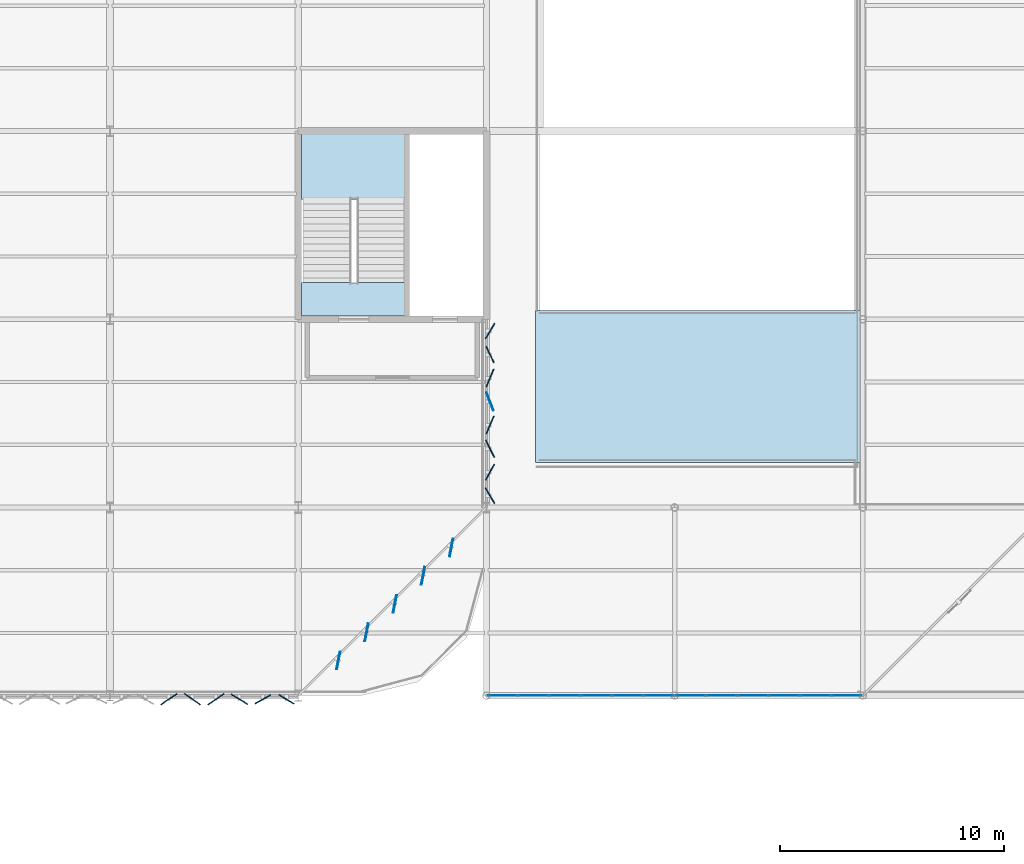
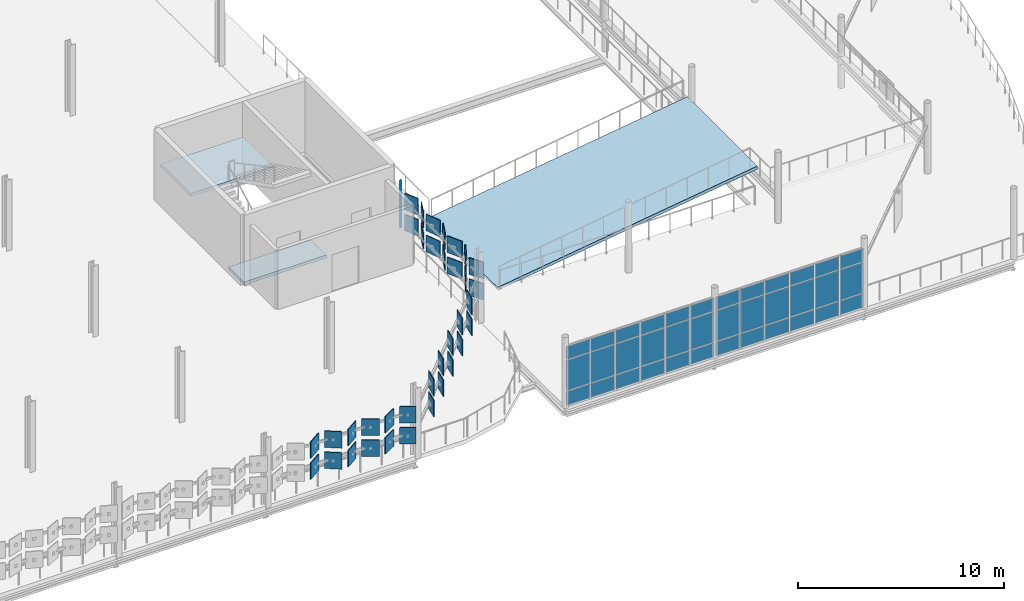
# One storey, part 43 of 69: 74 plates, 3 slabs, 3 elements without a shape of their own.
"""IFC4 building model written with IfcOpenShell, lengths in metres."""

from ifc_helpers import new_model, si_unit, direction, frame, origin, origin_2d, place, context, subcontext, project, spatial, polyline, rectangle, outline, extrude, material, layer, layer_set, type_object, element, aggregate, save


model = new_model("IFC4")

# Units and contexts
model_context = context("Model", 3, precision=1e-05, world=origin(), true_north=direction((0.0, 1.0)))
body_context = subcontext(model_context, "Body", "Model", "MODEL_VIEW")
ifc_project = project(units=[si_unit("LENGTHUNIT", "METRE"), si_unit("AREAUNIT", "SQUARE_METRE"), si_unit("VOLUMEUNIT", "CUBIC_METRE"), si_unit("PLANEANGLEUNIT", "RADIAN"), si_unit("MASSUNIT", "GRAM", prefix="KILO")], contexts=[model_context])

# Site, building, storey
site_placement = place(None, origin())
site = spatial("IfcSite", under=ifc_project, at=site_placement, CompositionType="ELEMENT")
building_placement = place(site_placement, origin())
building = spatial("IfcBuilding", under=site, at=building_placement, Name="Qalvenar Corner Mobility Hub", CompositionType="ELEMENT")
storey_placement = place(building_placement, frame((0.0, 0.0, 13.199951171875)))
storey = spatial("IfcBuildingStorey", under=building, at=storey_placement, Name="L03", CompositionType="ELEMENT", Elevation=13.199951171875)

# Curtain wall, plates
ifc_material_1 = material(Name="Anodised Aluminium and Low-E Glazing", Category="aluminium")
ifc_layer_1 = layer(ifc_material_1, 0.1201171875)
ifc_layer_set_1 = layer_set([ifc_layer_1], Name="Anodised Aluminium and Low-E Glazing")
curtain_wall_type = type_object("IfcCurtainWallType", Name="CW-STR-42X40", PredefinedType="NOTDEFINED", material=ifc_layer_set_1)
curtain_wall_1_placement = place(storey_placement, origin())
curtain_wall_1 = element("IfcCurtainWall", 1, at=curtain_wall_1_placement, inside=storey, type_object=curtain_wall_type, Name="Glazed Curtain Wall CW-V2-L03-S0", PredefinedType="NOTDEFINED")
ifc_material_2 = material(Name="Solar-Control Low-E Double Glazing", Category="glass")
ifc_layer_2 = layer(ifc_material_2, 0.028076171875)
ifc_layer_set_2 = layer_set([ifc_layer_2], Name="Solar-Control Low-E Double Glazing")
plate_type_1 = type_object("IfcPlateType", Name="PLT-CWP-GLZ1", PredefinedType="CURTAIN_PANEL", material=ifc_layer_set_2)
plate_1_placement = place(storey_placement, frame((143.514892578125, 67.199951171875, 0.05517578125), z_axis=(0.0, 0.0, 1.0), x_axis=(1.0, 0.0, 0.0)))
plate_1 = element("IfcPlate", 2, at=plate_1_placement, type_object=plate_type_1, Name="CW-10 panel 1.1", PredefinedType="CURTAIN_PANEL", context=body_context, shape_type="SweptSolid", body=[
    extrude(rectangle(XDim=1.31005859375, YDim=0.028076171875, at=origin_2d()), origin(), (0.0, 0.0, 1.0), 0.8173828125),
])
plate_2_placement = place(storey_placement, frame((143.514892578125, 67.199951171875, 0.927490234375), z_axis=(0.0, 0.0, 1.0), x_axis=(1.0, 0.0, 0.0)))
plate_2 = element("IfcPlate", 3, at=plate_2_placement, type_object=plate_type_1, Name="CW-10 panel 1.2", PredefinedType="CURTAIN_PANEL", context=body_context, shape_type="SweptSolid", body=[
    extrude(rectangle(XDim=1.31005859375, YDim=0.028076171875, at=origin_2d()), origin(), (0.0, 0.0, 1.0), 1.794921875),
])
plate_3_placement = place(storey_placement, frame((143.514892578125, 67.199951171875, 2.777587890625), z_axis=(0.0, 0.0, 1.0), x_axis=(1.0, 0.0, 0.0)))
plate_3 = element("IfcPlate", 4, at=plate_3_placement, type_object=plate_type_1, Name="CW-10 panel 1.3", PredefinedType="CURTAIN_PANEL", context=body_context, shape_type="SweptSolid", body=[
    extrude(rectangle(XDim=1.31005859375, YDim=0.028076171875, at=origin_2d()), origin(), (0.0, 0.0, 1.0), 0.767578125),
])
plate_4_placement = place(storey_placement, frame((144.89990234375, 67.199951171875, 0.05517578125), z_axis=(0.0, 0.0, 1.0), x_axis=(1.0, 0.0, 0.0)))
plate_4 = element("IfcPlate", 5, at=plate_4_placement, type_object=plate_type_1, Name="CW-10 panel 2.1", PredefinedType="CURTAIN_PANEL", context=body_context, shape_type="SweptSolid", body=[
    extrude(rectangle(XDim=1.340087890625, YDim=0.028076171875, at=origin_2d()), origin(), (0.0, 0.0, 1.0), 0.8173828125),
])
plate_5_placement = place(storey_placement, frame((144.89990234375, 67.199951171875, 0.927490234375), z_axis=(0.0, 0.0, 1.0), x_axis=(1.0, 0.0, 0.0)))
plate_5 = element("IfcPlate", 6, at=plate_5_placement, type_object=plate_type_1, Name="CW-10 panel 2.2", PredefinedType="CURTAIN_PANEL", context=body_context, shape_type="SweptSolid", body=[
    extrude(rectangle(XDim=1.340087890625, YDim=0.028076171875, at=origin_2d()), origin(), (0.0, 0.0, 1.0), 1.794921875),
])
plate_6_placement = place(storey_placement, frame((144.89990234375, 67.199951171875, 2.777587890625), z_axis=(0.0, 0.0, 1.0), x_axis=(1.0, 0.0, 0.0)))
plate_6 = element("IfcPlate", 7, at=plate_6_placement, type_object=plate_type_1, Name="CW-10 panel 2.3", PredefinedType="CURTAIN_PANEL", context=body_context, shape_type="SweptSolid", body=[
    extrude(rectangle(XDim=1.340087890625, YDim=0.028076171875, at=origin_2d()), origin(), (0.0, 0.0, 1.0), 0.767578125),
])
plate_7_placement = place(storey_placement, frame((146.300048828125, 67.199951171875, 0.05517578125), z_axis=(0.0, 0.0, 1.0), x_axis=(1.0, 0.0, 0.0)))
plate_7 = element("IfcPlate", 8, at=plate_7_placement, type_object=plate_type_1, Name="CW-10 panel 3.1", PredefinedType="CURTAIN_PANEL", context=body_context, shape_type="SweptSolid", body=[
    extrude(rectangle(XDim=1.340087890625, YDim=0.028076171875, at=origin_2d()), origin(), (0.0, 0.0, 1.0), 0.8173828125),
])
plate_8_placement = place(storey_placement, frame((146.300048828125, 67.199951171875, 0.927490234375), z_axis=(0.0, 0.0, 1.0), x_axis=(1.0, 0.0, 0.0)))
plate_8 = element("IfcPlate", 9, at=plate_8_placement, type_object=plate_type_1, Name="CW-10 panel 3.2", PredefinedType="CURTAIN_PANEL", context=body_context, shape_type="SweptSolid", body=[
    extrude(rectangle(XDim=1.340087890625, YDim=0.028076171875, at=origin_2d()), origin(), (0.0, 0.0, 1.0), 1.794921875),
])
plate_9_placement = place(storey_placement, frame((146.300048828125, 67.199951171875, 2.777587890625), z_axis=(0.0, 0.0, 1.0), x_axis=(1.0, 0.0, 0.0)))
plate_9 = element("IfcPlate", 10, at=plate_9_placement, type_object=plate_type_1, Name="CW-10 panel 3.3", PredefinedType="CURTAIN_PANEL", context=body_context, shape_type="SweptSolid", body=[
    extrude(rectangle(XDim=1.340087890625, YDim=0.028076171875, at=origin_2d()), origin(), (0.0, 0.0, 1.0), 0.767578125),
])
plate_10_placement = place(storey_placement, frame((147.699951171875, 67.199951171875, 0.05517578125), z_axis=(0.0, 0.0, 1.0), x_axis=(1.0, 0.0, 0.0)))
plate_10 = element("IfcPlate", 11, at=plate_10_placement, type_object=plate_type_1, Name="CW-10 panel 4.1", PredefinedType="CURTAIN_PANEL", context=body_context, shape_type="SweptSolid", body=[
    extrude(rectangle(XDim=1.340087890625, YDim=0.028076171875, at=origin_2d()), origin(), (0.0, 0.0, 1.0), 0.8173828125),
])
plate_11_placement = place(storey_placement, frame((147.699951171875, 67.199951171875, 0.927490234375), z_axis=(0.0, 0.0, 1.0), x_axis=(1.0, 0.0, 0.0)))
plate_11 = element("IfcPlate", 12, at=plate_11_placement, type_object=plate_type_1, Name="CW-10 panel 4.2", PredefinedType="CURTAIN_PANEL", context=body_context, shape_type="SweptSolid", body=[
    extrude(rectangle(XDim=1.340087890625, YDim=0.028076171875, at=origin_2d()), origin(), (0.0, 0.0, 1.0), 1.794921875),
])
plate_12_placement = place(storey_placement, frame((147.699951171875, 67.199951171875, 2.777587890625), z_axis=(0.0, 0.0, 1.0), x_axis=(1.0, 0.0, 0.0)))
plate_12 = element("IfcPlate", 13, at=plate_12_placement, type_object=plate_type_1, Name="CW-10 panel 4.3", PredefinedType="CURTAIN_PANEL", context=body_context, shape_type="SweptSolid", body=[
    extrude(rectangle(XDim=1.340087890625, YDim=0.028076171875, at=origin_2d()), origin(), (0.0, 0.0, 1.0), 0.767578125),
])
plate_13_placement = place(storey_placement, frame((149.10009765625, 67.199951171875, 0.05517578125), z_axis=(0.0, 0.0, 1.0), x_axis=(1.0, 0.0, 0.0)))
plate_13 = element("IfcPlate", 14, at=plate_13_placement, type_object=plate_type_1, Name="CW-10 panel 5.1", PredefinedType="CURTAIN_PANEL", context=body_context, shape_type="SweptSolid", body=[
    extrude(rectangle(XDim=1.340087890625, YDim=0.028076171875, at=origin_2d()), origin(), (0.0, 0.0, 1.0), 0.8173828125),
])
plate_14_placement = place(storey_placement, frame((149.10009765625, 67.199951171875, 0.927490234375), z_axis=(0.0, 0.0, 1.0), x_axis=(1.0, 0.0, 0.0)))
plate_14 = element("IfcPlate", 15, at=plate_14_placement, type_object=plate_type_1, Name="CW-10 panel 5.2", PredefinedType="CURTAIN_PANEL", context=body_context, shape_type="SweptSolid", body=[
    extrude(rectangle(XDim=1.340087890625, YDim=0.028076171875, at=origin_2d()), origin(), (0.0, 0.0, 1.0), 1.794921875),
])
plate_15_placement = place(storey_placement, frame((149.10009765625, 67.199951171875, 2.777587890625), z_axis=(0.0, 0.0, 1.0), x_axis=(1.0, 0.0, 0.0)))
plate_15 = element("IfcPlate", 16, at=plate_15_placement, type_object=plate_type_1, Name="CW-10 panel 5.3", PredefinedType="CURTAIN_PANEL", context=body_context, shape_type="SweptSolid", body=[
    extrude(rectangle(XDim=1.340087890625, YDim=0.028076171875, at=origin_2d()), origin(), (0.0, 0.0, 1.0), 0.767578125),
])
plate_16_placement = place(storey_placement, frame((150.485107421875, 67.199951171875, 0.05517578125), z_axis=(0.0, 0.0, 1.0), x_axis=(1.0, 0.0, 0.0)))
plate_16 = element("IfcPlate", 17, at=plate_16_placement, type_object=plate_type_1, Name="CW-10 panel 6.1", PredefinedType="CURTAIN_PANEL", context=body_context, shape_type="SweptSolid", body=[
    extrude(rectangle(XDim=1.31005859375, YDim=0.028076171875, at=origin_2d()), origin(), (0.0, 0.0, 1.0), 0.8173828125),
])
plate_17_placement = place(storey_placement, frame((150.485107421875, 67.199951171875, 0.927490234375), z_axis=(0.0, 0.0, 1.0), x_axis=(1.0, 0.0, 0.0)))
plate_17 = element("IfcPlate", 18, at=plate_17_placement, type_object=plate_type_1, Name="CW-10 panel 6.2", PredefinedType="CURTAIN_PANEL", context=body_context, shape_type="SweptSolid", body=[
    extrude(rectangle(XDim=1.31005859375, YDim=0.028076171875, at=origin_2d()), origin(), (0.0, 0.0, 1.0), 1.794921875),
])
plate_18_placement = place(storey_placement, frame((150.485107421875, 67.199951171875, 2.777587890625), z_axis=(0.0, 0.0, 1.0), x_axis=(1.0, 0.0, 0.0)))
plate_18 = element("IfcPlate", 19, at=plate_18_placement, type_object=plate_type_1, Name="CW-10 panel 6.3", PredefinedType="CURTAIN_PANEL", context=body_context, shape_type="SweptSolid", body=[
    extrude(rectangle(XDim=1.31005859375, YDim=0.028076171875, at=origin_2d()), origin(), (0.0, 0.0, 1.0), 0.767578125),
])
aggregate(curtain_wall_1, [plate_1, plate_2, plate_3, plate_4, plate_5, plate_6, plate_7, plate_8, plate_9, plate_10, plate_11, plate_12, plate_13, plate_14, plate_15, plate_16, plate_17, plate_18])

curtain_wall_2_placement = place(storey_placement, origin())
curtain_wall_2 = element("IfcCurtainWall", 20, at=curtain_wall_2_placement, inside=storey, type_object=curtain_wall_type, Name="Glazed Curtain Wall CW-V2-L03-S1", PredefinedType="NOTDEFINED")
plate_19_placement = place(storey_placement, frame((151.9150390625, 67.199951171875, 0.05517578125), z_axis=(0.0, 0.0, 1.0), x_axis=(1.0, 0.0, 0.0)))
plate_19 = element("IfcPlate", 21, at=plate_19_placement, type_object=plate_type_1, Name="CW-10 panel 1.1", PredefinedType="CURTAIN_PANEL", context=body_context, shape_type="SweptSolid", body=[
    extrude(rectangle(XDim=1.31005859375, YDim=0.028076171875, at=origin_2d()), origin(), (0.0, 0.0, 1.0), 0.8173828125),
])
plate_20_placement = place(storey_placement, frame((151.9150390625, 67.199951171875, 0.927490234375), z_axis=(0.0, 0.0, 1.0), x_axis=(1.0, 0.0, 0.0)))
plate_20 = element("IfcPlate", 22, at=plate_20_placement, type_object=plate_type_1, Name="CW-10 panel 1.2", PredefinedType="CURTAIN_PANEL", context=body_context, shape_type="SweptSolid", body=[
    extrude(rectangle(XDim=1.31005859375, YDim=0.028076171875, at=origin_2d()), origin(), (0.0, 0.0, 1.0), 1.794921875),
])
plate_21_placement = place(storey_placement, frame((151.9150390625, 67.199951171875, 2.777587890625), z_axis=(0.0, 0.0, 1.0), x_axis=(1.0, 0.0, 0.0)))
plate_21 = element("IfcPlate", 23, at=plate_21_placement, type_object=plate_type_1, Name="CW-10 panel 1.3", PredefinedType="CURTAIN_PANEL", context=body_context, shape_type="SweptSolid", body=[
    extrude(rectangle(XDim=1.31005859375, YDim=0.028076171875, at=origin_2d()), origin(), (0.0, 0.0, 1.0), 0.767578125),
])
plate_22_placement = place(storey_placement, frame((153.300048828125, 67.199951171875, 0.05517578125), z_axis=(0.0, 0.0, 1.0), x_axis=(1.0, 0.0, 0.0)))
plate_22 = element("IfcPlate", 24, at=plate_22_placement, type_object=plate_type_1, Name="CW-10 panel 2.1", PredefinedType="CURTAIN_PANEL", context=body_context, shape_type="SweptSolid", body=[
    extrude(rectangle(XDim=1.340087890625, YDim=0.028076171875, at=origin_2d()), origin(), (0.0, 0.0, 1.0), 0.8173828125),
])
plate_23_placement = place(storey_placement, frame((153.300048828125, 67.199951171875, 0.927490234375), z_axis=(0.0, 0.0, 1.0), x_axis=(1.0, 0.0, 0.0)))
plate_23 = element("IfcPlate", 25, at=plate_23_placement, type_object=plate_type_1, Name="CW-10 panel 2.2", PredefinedType="CURTAIN_PANEL", context=body_context, shape_type="SweptSolid", body=[
    extrude(rectangle(XDim=1.340087890625, YDim=0.028076171875, at=origin_2d()), origin(), (0.0, 0.0, 1.0), 1.794921875),
])
plate_24_placement = place(storey_placement, frame((153.300048828125, 67.199951171875, 2.777587890625), z_axis=(0.0, 0.0, 1.0), x_axis=(1.0, 0.0, 0.0)))
plate_24 = element("IfcPlate", 26, at=plate_24_placement, type_object=plate_type_1, Name="CW-10 panel 2.3", PredefinedType="CURTAIN_PANEL", context=body_context, shape_type="SweptSolid", body=[
    extrude(rectangle(XDim=1.340087890625, YDim=0.028076171875, at=origin_2d()), origin(), (0.0, 0.0, 1.0), 0.767578125),
])
plate_25_placement = place(storey_placement, frame((154.699951171875, 67.199951171875, 0.05517578125), z_axis=(0.0, 0.0, 1.0), x_axis=(1.0, 0.0, 0.0)))
plate_25 = element("IfcPlate", 27, at=plate_25_placement, type_object=plate_type_1, Name="CW-10 panel 3.1", PredefinedType="CURTAIN_PANEL", context=body_context, shape_type="SweptSolid", body=[
    extrude(rectangle(XDim=1.340087890625, YDim=0.028076171875, at=origin_2d()), origin(), (0.0, 0.0, 1.0), 0.8173828125),
])
plate_26_placement = place(storey_placement, frame((154.699951171875, 67.199951171875, 0.927490234375), z_axis=(0.0, 0.0, 1.0), x_axis=(1.0, 0.0, 0.0)))
plate_26 = element("IfcPlate", 28, at=plate_26_placement, type_object=plate_type_1, Name="CW-10 panel 3.2", PredefinedType="CURTAIN_PANEL", context=body_context, shape_type="SweptSolid", body=[
    extrude(rectangle(XDim=1.340087890625, YDim=0.028076171875, at=origin_2d()), origin(), (0.0, 0.0, 1.0), 1.794921875),
])
plate_27_placement = place(storey_placement, frame((154.699951171875, 67.199951171875, 2.777587890625), z_axis=(0.0, 0.0, 1.0), x_axis=(1.0, 0.0, 0.0)))
plate_27 = element("IfcPlate", 29, at=plate_27_placement, type_object=plate_type_1, Name="CW-10 panel 3.3", PredefinedType="CURTAIN_PANEL", context=body_context, shape_type="SweptSolid", body=[
    extrude(rectangle(XDim=1.340087890625, YDim=0.028076171875, at=origin_2d()), origin(), (0.0, 0.0, 1.0), 0.767578125),
])
plate_28_placement = place(storey_placement, frame((156.10009765625, 67.199951171875, 0.05517578125), z_axis=(0.0, 0.0, 1.0), x_axis=(1.0, 0.0, 0.0)))
plate_28 = element("IfcPlate", 30, at=plate_28_placement, type_object=plate_type_1, Name="CW-10 panel 4.1", PredefinedType="CURTAIN_PANEL", context=body_context, shape_type="SweptSolid", body=[
    extrude(rectangle(XDim=1.340087890625, YDim=0.028076171875, at=origin_2d()), origin(), (0.0, 0.0, 1.0), 0.8173828125),
])
plate_29_placement = place(storey_placement, frame((156.10009765625, 67.199951171875, 0.927490234375), z_axis=(0.0, 0.0, 1.0), x_axis=(1.0, 0.0, 0.0)))
plate_29 = element("IfcPlate", 31, at=plate_29_placement, type_object=plate_type_1, Name="CW-10 panel 4.2", PredefinedType="CURTAIN_PANEL", context=body_context, shape_type="SweptSolid", body=[
    extrude(rectangle(XDim=1.340087890625, YDim=0.028076171875, at=origin_2d()), origin(), (0.0, 0.0, 1.0), 1.794921875),
])
plate_30_placement = place(storey_placement, frame((156.10009765625, 67.199951171875, 2.777587890625), z_axis=(0.0, 0.0, 1.0), x_axis=(1.0, 0.0, 0.0)))
plate_30 = element("IfcPlate", 32, at=plate_30_placement, type_object=plate_type_1, Name="CW-10 panel 4.3", PredefinedType="CURTAIN_PANEL", context=body_context, shape_type="SweptSolid", body=[
    extrude(rectangle(XDim=1.340087890625, YDim=0.028076171875, at=origin_2d()), origin(), (0.0, 0.0, 1.0), 0.767578125),
])
plate_31_placement = place(storey_placement, frame((157.5, 67.199951171875, 0.05517578125), z_axis=(0.0, 0.0, 1.0), x_axis=(1.0, 0.0, 0.0)))
plate_31 = element("IfcPlate", 33, at=plate_31_placement, type_object=plate_type_1, Name="CW-10 panel 5.1", PredefinedType="CURTAIN_PANEL", context=body_context, shape_type="SweptSolid", body=[
    extrude(rectangle(XDim=1.340087890625, YDim=0.028076171875, at=origin_2d()), origin(), (0.0, 0.0, 1.0), 0.8173828125),
])
plate_32_placement = place(storey_placement, frame((157.5, 67.199951171875, 0.927490234375), z_axis=(0.0, 0.0, 1.0), x_axis=(1.0, 0.0, 0.0)))
plate_32 = element("IfcPlate", 34, at=plate_32_placement, type_object=plate_type_1, Name="CW-10 panel 5.2", PredefinedType="CURTAIN_PANEL", context=body_context, shape_type="SweptSolid", body=[
    extrude(rectangle(XDim=1.340087890625, YDim=0.028076171875, at=origin_2d()), origin(), (0.0, 0.0, 1.0), 1.794921875),
])
plate_33_placement = place(storey_placement, frame((157.5, 67.199951171875, 2.777587890625), z_axis=(0.0, 0.0, 1.0), x_axis=(1.0, 0.0, 0.0)))
plate_33 = element("IfcPlate", 35, at=plate_33_placement, type_object=plate_type_1, Name="CW-10 panel 5.3", PredefinedType="CURTAIN_PANEL", context=body_context, shape_type="SweptSolid", body=[
    extrude(rectangle(XDim=1.340087890625, YDim=0.028076171875, at=origin_2d()), origin(), (0.0, 0.0, 1.0), 0.767578125),
])
plate_34_placement = place(storey_placement, frame((158.885009765625, 67.199951171875, 0.05517578125), z_axis=(0.0, 0.0, 1.0), x_axis=(1.0, 0.0, 0.0)))
plate_34 = element("IfcPlate", 36, at=plate_34_placement, type_object=plate_type_1, Name="CW-10 panel 6.1", PredefinedType="CURTAIN_PANEL", context=body_context, shape_type="SweptSolid", body=[
    extrude(rectangle(XDim=1.31005859375, YDim=0.028076171875, at=origin_2d()), origin(), (0.0, 0.0, 1.0), 0.8173828125),
])
plate_35_placement = place(storey_placement, frame((158.885009765625, 67.199951171875, 0.927490234375), z_axis=(0.0, 0.0, 1.0), x_axis=(1.0, 0.0, 0.0)))
plate_35 = element("IfcPlate", 37, at=plate_35_placement, type_object=plate_type_1, Name="CW-10 panel 6.2", PredefinedType="CURTAIN_PANEL", context=body_context, shape_type="SweptSolid", body=[
    extrude(rectangle(XDim=1.31005859375, YDim=0.028076171875, at=origin_2d()), origin(), (0.0, 0.0, 1.0), 1.794921875),
])
plate_36_placement = place(storey_placement, frame((158.885009765625, 67.199951171875, 2.777587890625), z_axis=(0.0, 0.0, 1.0), x_axis=(1.0, 0.0, 0.0)))
plate_36 = element("IfcPlate", 38, at=plate_36_placement, type_object=plate_type_1, Name="CW-10 panel 6.3", PredefinedType="CURTAIN_PANEL", context=body_context, shape_type="SweptSolid", body=[
    extrude(rectangle(XDim=1.31005859375, YDim=0.028076171875, at=origin_2d()), origin(), (0.0, 0.0, 1.0), 0.767578125),
])
aggregate(curtain_wall_2, [plate_19, plate_20, plate_21, plate_22, plate_23, plate_24, plate_25, plate_26, plate_27, plate_28, plate_29, plate_30, plate_31, plate_32, plate_33, plate_34, plate_35, plate_36])

# Plates
ifc_material_3 = material(Name="Verdigris-Celadon Anodised Aluminium", Category="aluminium")
ifc_layer_3 = layer(ifc_material_3, 0.0439453125)
ifc_layer_set_3 = layer_set([ifc_layer_3], Name="Verdigris-Celadon Anodised Aluminium")
plate_type_2 = type_object("IfcPlateType", Name="PLT-XC-L3-CRN", PredefinedType="SHEET", material=ifc_layer_set_3)
for number, where, z_axis, x_axis, name in (
    (39, (132.824951171875, 67.0400390625, 1.010009765625), (0.0, 0.0, 1.0), (0.87026973856, 0.492575458328, 0.0), "Hinged Facade Panel FP-L03-0845"),
    (40, (132.824951171875, 67.0400390625, 2.260009765625), (0.0, 0.0, 1.0), (0.87026973856, 0.492575458328, 0.0), "Hinged Facade Panel FP-L03-0846"),
    (41, (133.875, 67.0400390625, 1.010009765625), (0.0, 0.0, 1.0), (0.859049252187, -0.511892940289, 0.0), "Hinged Facade Panel FP-L03-0847"),
    (42, (133.875, 67.0400390625, 2.260009765625), (0.0, 0.0, 1.0), (0.859049252187, -0.511892940289, 0.0), "Hinged Facade Panel FP-L03-0848"),
    (43, (142.9599609375, 76.125, 1.010009765625), (0.0, 0.0, 1.0), (-0.507087145436, 0.861894788785, 0.0), "Hinged Facade Panel FP-L03-1025"),
    (44, (142.9599609375, 76.125, 2.260009765625), (0.0, 0.0, 1.0), (-0.507087145436, 0.861894788785, 0.0), "Hinged Facade Panel FP-L03-1026"),
    (45, (142.9599609375, 77.175048828125, 1.010009765625), (0.0, 0.0, 1.0), (0.473627127217, 0.88072546481, 0.0), "Hinged Facade Panel FP-L03-1027"),
    (46, (142.9599609375, 77.175048828125, 2.260009765625), (0.0, 0.0, 1.0), (0.473627127217, 0.88072546481, 0.0), "Hinged Facade Panel FP-L03-1028"),
    (47, (142.9599609375, 82.425048828125, 1.010009765625), (0.0, 0.0, 1.0), (-0.427515649049, 0.904007947873, 0.0), "Hinged Facade Panel FP-L03-1037"),
    (48, (142.9599609375, 82.425048828125, 2.260009765625), (0.0, 0.0, 1.0), (-0.427515649049, 0.904007947873, 0.0), "Hinged Facade Panel FP-L03-1038"),
    (49, (142.9599609375, 83.47509765625, 1.010009765625), (0.0, 0.0, 1.0), (0.507538362961, 0.861629160442, 0.0), "Hinged Facade Panel FP-L03-1039"),
    (50, (142.9599609375, 83.47509765625, 2.260009765625), (0.0, 0.0, 1.0), (0.507538362961, 0.861629160442, 0.0), "Hinged Facade Panel FP-L03-1040"),
    (51, (136.193115234375, 68.766845703125, 1.010009765625), (0.0, 0.0, 1.0), (0.190808995377, 0.981627183448, 0.0), "Corner Hinged Panel FPC-L03-1051"),
    (52, (137.453125, 70.02685546875, 1.010009765625), (0.0, 0.0, 1.0), (0.190808995377, 0.981627183448, 0.0), "Corner Hinged Panel FPC-L03-1052"),
    (53, (138.713134765625, 71.286865234375, 1.010009765625), (0.0, 0.0, 1.0), (0.190808995377, 0.981627183448, 0.0), "Corner Hinged Panel FPC-L03-1053"),
    (54, (139.97314453125, 72.546875, 1.010009765625), (0.0, 0.0, 1.0), (0.190808995377, 0.981627183448, 0.0), "Corner Hinged Panel FPC-L03-1054"),
    (55, (141.233154296875, 73.806884765625, 1.010009765625), (0.0, 0.0, 1.0), (0.190808995377, 0.981627183448, 0.0), "Corner Hinged Panel FPC-L03-1055"),
    (56, (136.193115234375, 68.766845703125, 2.260009765625), (0.0, 0.0, 1.0), (0.190808995377, 0.981627183448, 0.0), "Corner Hinged Panel FPC-L03-1056"),
    (57, (137.453125, 70.02685546875, 2.260009765625), (0.0, 0.0, 1.0), (0.190808995377, 0.981627183448, 0.0), "Corner Hinged Panel FPC-L03-1057"),
    (58, (138.713134765625, 71.286865234375, 2.260009765625), (0.0, 0.0, 1.0), (0.190808995377, 0.981627183448, 0.0), "Corner Hinged Panel FPC-L03-1058"),
    (59, (139.97314453125, 72.546875, 2.260009765625), (0.0, 0.0, 1.0), (0.190808995377, 0.981627183448, 0.0), "Corner Hinged Panel FPC-L03-1059"),
    (60, (141.233154296875, 73.806884765625, 2.260009765625), (0.0, 0.0, 1.0), (0.190808995377, 0.981627183448, 0.0), "Corner Hinged Panel FPC-L03-1060"),
):
    element("IfcPlate", number, at=place(storey_placement, frame(where, z_axis=z_axis, x_axis=x_axis)), inside=storey, type_object=plate_type_2, Name=name, PredefinedType="SHEET", context=body_context, shape_type="SweptSolid", body=[
        extrude(rectangle(XDim=0.800048828125, YDim=0.0439453125, at=origin_2d()), origin(), (0.0, 0.0, 1.0), 0.97998046875),
    ])
ifc_layer_4 = layer(ifc_material_3, 0.0419921875)
ifc_layer_set_4 = layer_set([ifc_layer_4], Name="Verdigris-Celadon Anodised Aluminium")
plate_type_3 = type_object("IfcPlateType", Name="PLT-XC-L3-STD", PredefinedType="SHEET", material=ifc_layer_set_4)
for number, where, z_axis, x_axis, name in (
    (61, (128.625, 67.0400390625, 1.010009765625), (0.0, 0.0, 1.0), (0.830206924295, 0.557455346062, 0.0), "Hinged Facade Panel FP-L03-0837"),
    (62, (128.625, 67.0400390625, 2.260009765625), (0.0, 0.0, 1.0), (0.830206924295, 0.557455346062, 0.0), "Hinged Facade Panel FP-L03-0838"),
    (63, (129.675048828125, 67.0400390625, 1.010009765625), (0.0, 0.0, 1.0), (0.819152044289, -0.573576436351, 0.0), "Hinged Facade Panel FP-L03-0839"),
    (64, (129.675048828125, 67.0400390625, 2.260009765625), (0.0, 0.0, 1.0), (0.819152044289, -0.573576436351, 0.0), "Hinged Facade Panel FP-L03-0840"),
    (65, (130.72509765625, 67.0400390625, 1.010009765625), (0.0, 0.0, 1.0), (0.828939962355, 0.559337589306, 0.0), "Hinged Facade Panel FP-L03-0841"),
    (66, (130.72509765625, 67.0400390625, 2.260009765625), (0.0, 0.0, 1.0), (0.828939962355, 0.559337589306, 0.0), "Hinged Facade Panel FP-L03-0842"),
    (67, (131.77490234375, 67.0400390625, 1.010009765625), (0.0, 0.0, 1.0), (0.855725702761, -0.517429726276, 0.0), "Hinged Facade Panel FP-L03-0843"),
    (68, (131.77490234375, 67.0400390625, 2.260009765625), (0.0, 0.0, 1.0), (0.855725702761, -0.517429726276, 0.0), "Hinged Facade Panel FP-L03-0844"),
    (69, (142.9599609375, 78.22509765625, 1.010009765625), (0.0, 0.0, 1.0), (-0.448227204503, 0.893919668171, 0.0), "Hinged Facade Panel FP-L03-1029"),
    (70, (142.9599609375, 78.22509765625, 2.260009765625), (0.0, 0.0, 1.0), (-0.448227204503, 0.893919668171, 0.0), "Hinged Facade Panel FP-L03-1030"),
    (71, (142.9599609375, 79.27490234375, 1.010009765625), (0.0, 0.0, 1.0), (0.390731128489, 0.920504853452, 0.0), "Hinged Facade Panel FP-L03-1031"),
    (72, (142.9599609375, 79.27490234375, 2.260009765625), (0.0, 0.0, 1.0), (0.390731128489, 0.920504853452, 0.0), "Hinged Facade Panel FP-L03-1032"),
    (73, (142.9599609375, 80.324951171875, 1.010009765625), (0.0, 0.0, 1.0), (-0.363901585079, 0.931437403359, 0.0), "Hinged Facade Panel FP-L03-1033"),
    (74, (142.9599609375, 80.324951171875, 2.260009765625), (0.0, 0.0, 1.0), (-0.363901585079, 0.931437403359, 0.0), "Hinged Facade Panel FP-L03-1034"),
    (75, (142.9599609375, 81.375, 1.010009765625), (0.0, 0.0, 1.0), (0.389284721396, 0.921117476594, 0.0), "Hinged Facade Panel FP-L03-1035"),
    (76, (142.9599609375, 81.375, 2.260009765625), (0.0, 0.0, 1.0), (0.389284721396, 0.921117476594, 0.0), "Hinged Facade Panel FP-L03-1036"),
):
    element("IfcPlate", number, at=place(storey_placement, frame(where, z_axis=z_axis, x_axis=x_axis)), inside=storey, type_object=plate_type_3, Name=name, PredefinedType="SHEET", context=body_context, shape_type="SweptSolid", body=[
        extrude(rectangle(XDim=0.860107421875, YDim=0.0419921875, at=origin_2d()), origin(), (0.0, 0.0, 1.0), 0.97998046875),
    ])

# Stair, slab
ifc_material_4 = material(Name="Concrete C35/45", Category="concrete")
stair_type = type_object("IfcStairType", Name="STR-200-H42", PredefinedType="HALF_TURN_STAIR", material=ifc_material_4)
stair_placement = place(storey_placement, origin())
stair = element("IfcStair", 77, at=stair_placement, inside=storey, type_object=stair_type, Name="Exit Stair ST4 L03-L04", PredefinedType="HALF_TURN_STAIR")
ifc_layer_5 = layer(ifc_material_4, 0.179931640625)
ifc_layer_set_5 = layer_set([ifc_layer_5], Name="Concrete C35/45")
slab_type_1 = type_object("IfcSlabType", Name="SLB-LND180", PredefinedType="LANDING", material=ifc_layer_set_5)
slab_1_placement = place(storey_placement, frame((0.0, 0.0, 1.920166015625)))
slab_1 = element("IfcSlab", 78, at=slab_1_placement, type_object=slab_type_1, Name="ST4 landing 1", PredefinedType="LANDING", context=body_context, shape_type="SweptSolid", body=[
    extrude(outline(polyline([(134.5400390625, 89.35009765625), (139.179931640625, 89.35009765625), (139.179931640625, 92.260009765625), (134.5400390625, 92.260009765625), (134.5400390625, 89.35009765625)])), origin(), (0.0, 0.0, 1.0), 0.179931640625),
])
aggregate(stair, [slab_1])

# Slabs
ifc_layer_6 = layer(ifc_material_4, 0.175048828125)
ifc_layer_set_6 = layer_set([ifc_layer_6], Name="Concrete C35/45")
slab_type_2 = type_object("IfcSlabType", Name="SLB-LND200", PredefinedType="LANDING", material=ifc_layer_set_6)
slab_2_placement = place(storey_placement, frame((0.0, 0.0, -0.175048828125)))
element("IfcSlab", 79, at=slab_2_placement, inside=storey, type_object=slab_type_2, Name="Core Stair Arrival Landing C4-L03", PredefinedType="LANDING", context=body_context, shape_type="SweptSolid", body=[
    extrude(outline(polyline([(134.550048828125, 84.14990234375), (139.169921875, 84.14990234375), (139.169921875, 85.64990234375), (134.550048828125, 85.64990234375), (134.550048828125, 84.14990234375)])), origin(), (0.0, 0.0, 1.0), 0.175048828125),
])
ifc_material_5 = material(Name="Concrete C35/45", Category="concrete")
ifc_layer_7 = layer(ifc_material_5, 0.18505859375)
ifc_layer_set_7 = layer_set([ifc_layer_7], Name="Concrete C35/45")
slab_type_3 = type_object("IfcSlabType", Name="SLB-VRMP185", PredefinedType="FLOOR", material=ifc_layer_set_7)
slab_3_placement = place(storey_placement, frame((145.0, 77.60009765625, 0.0), z_axis=(-0.142375980845, 0.0, 0.989812648979), x_axis=(0.989812648979, 0.0, 0.142375980845)))
element("IfcSlab", 80, at=slab_3_placement, inside=storey, type_object=slab_type_3, Name="Vehicle Circulation Ramp Structural Slab L03-L04 Lower", PredefinedType="FLOOR", context=body_context, shape_type="SweptSolid", body=[
    extrude(outline(polyline([(0.0, 0.0), (14.750364800160826, 0.0), (14.750364800160826, 6.799804687500002), (0.0, 6.799804687500002), (0.0, 0.0)])), origin(), (0.0, 0.0, -1.0), 0.18505859375),
])

save(model, "model.ifc")
